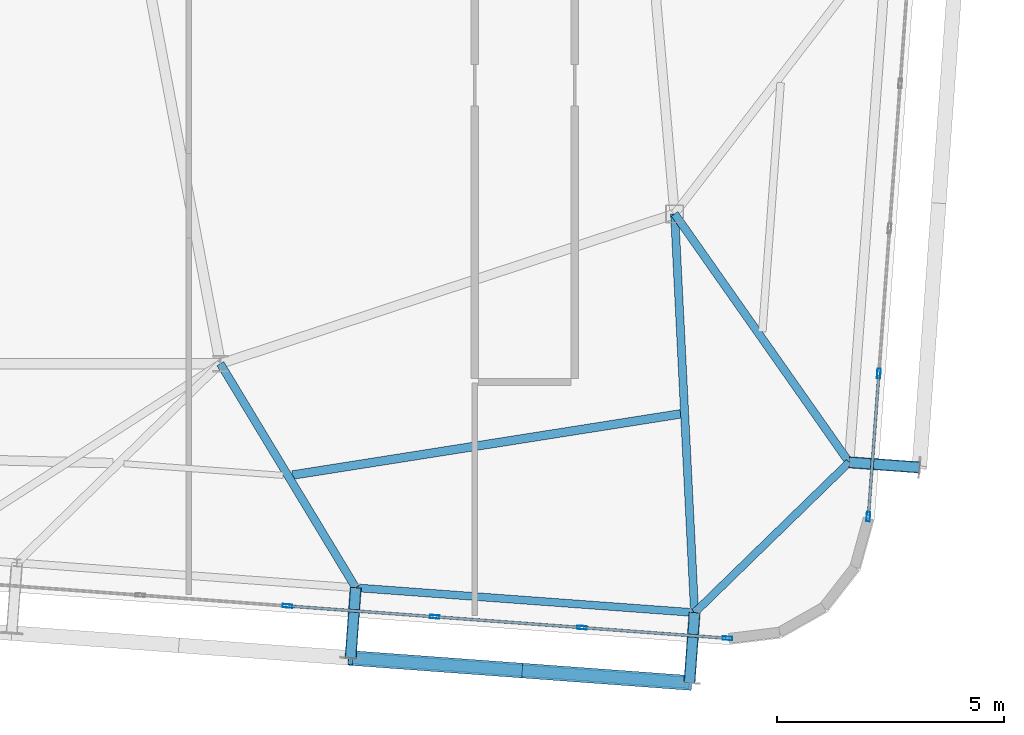
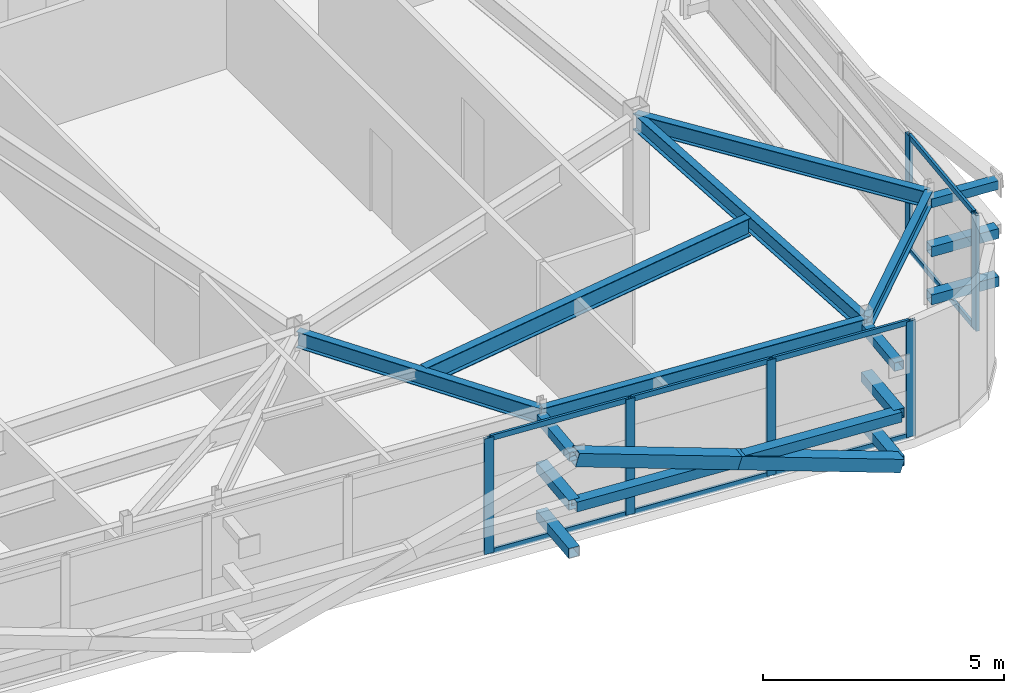
# One storey, part 19 of 42: 26 members, 6 beams, 2 elements without a shape of their own.
"""IFC4 building model written with IfcOpenShell, lengths in metres."""

from ifc_helpers import new_model, si_unit, direction, frame, origin, origin_2d, place, context, subcontext, project, spatial, hollow_rectangle, i_section, extrude, source, transform, mapped, material, layer, layer_set, material_profile, profile_set, type_object, element, aggregate, save


model = new_model("IFC4")

# Units and contexts
model_context = context("Model", 3, precision=1e-05, world=origin(), true_north=direction((0.0, 1.0)))
body_context = subcontext(model_context, "Body", "Model", "MODEL_VIEW")
ifc_project = project(units=[si_unit("LENGTHUNIT", "METRE"), si_unit("AREAUNIT", "SQUARE_METRE"), si_unit("VOLUMEUNIT", "CUBIC_METRE"), si_unit("PLANEANGLEUNIT", "RADIAN"), si_unit("MASSUNIT", "GRAM", prefix="KILO")], contexts=[model_context])

# Site, building, storey
site_placement = place(None, origin())
site = spatial("IfcSite", under=ifc_project, at=site_placement, CompositionType="ELEMENT")
building_placement = place(site_placement, origin())
building = spatial("IfcBuilding", under=site, at=building_placement, Name="Taldren Reach Tower", CompositionType="ELEMENT")
storey_placement = place(building_placement, frame((0.0, 0.0, 220.85009765625)))
storey = spatial("IfcBuildingStorey", under=building, at=storey_placement, Name="L67", CompositionType="ELEMENT", Elevation=220.85009765625)

# Members
ifc_material_1 = material(Name="Steel Gr 350 (C350L0)", Category="steel")
ifc_material_profile_1 = material_profile(ifc_material_1, hollow_rectangle(XDim=0.25, YDim=0.25, WallThickness=0.010009765625, at=origin_2d()), Name="250x250x10.0SHS")
ifc_profile_set_1 = profile_set([ifc_material_profile_1], Name="Steel Gr 350 (C350L0)")
member_type_1 = type_object("IfcMemberType", Name="MB-POST250", PredefinedType="POST", material=ifc_profile_set_1)
shared_shape_1 = source(origin(), body_context, "Body", "SweptSolid", [
    extrude(hollow_rectangle(XDim=0.25, YDim=0.25, WallThickness=0.010009765625, at=origin_2d()), origin(), (0.0, 0.0, 1.0), 1.550048828125),
])
for number, where, z_axis, x_axis, name in (
    (1, (44.980224609375, 4.26904296875, 0.219970703125), (-0.07323929162, -0.997314396849, 0.0), (0.997314396849, -0.07323929162, 0.0), "Exoskeleton base diaphragm tie strut B5-S5 L67"),
    (2, (52.440185546875, 3.72119140625, 0.219970703125), (-0.07323929162, -0.997314396849, 0.0), (0.997314396849, -0.07323929162, 0.0), "Exoskeleton base diaphragm tie strut B5-S6 L67"),
    (3, (44.980224609375, 4.26904296875, 1.434814453125), (-0.07323929162, -0.997314396849, 0.0), (0.997314396849, -0.07323929162, 0.0), "Exoskeleton mid-tier diaphragm tie B5-S5 L67"),
    (4, (52.440185546875, 3.72119140625, 1.434814453125), (-0.07323929162, -0.997314396849, 0.0), (0.997314396849, -0.07323929162, 0.0), "Exoskeleton mid-tier diaphragm tie B5-S6 L67"),
):
    element("IfcMember", number, at=place(storey_placement, frame(where, z_axis=z_axis, x_axis=x_axis)), inside=storey, type_object=member_type_1, Name=name, PredefinedType="POST", context=body_context, shape_type="MappedRepresentation", body=[
        mapped(shared_shape_1, transform((0.0, 0.0, 0.0), scale=1.0)),
    ])
ifc_material_2 = material(Name="Steel Gr 450 (C450L0)", Category="steel")
ifc_material_profile_2 = material_profile(ifc_material_2, hollow_rectangle(XDim=0.219970703125, YDim=0.219970703125, WallThickness=0.00830078125, at=origin_2d()), Name="220x220x8.2SHS")
ifc_profile_set_2 = profile_set([ifc_material_profile_2], Name="Steel Gr 450 (C450L0)")
member_type_2 = type_object("IfcMemberType", Name="MB-TIE219", PredefinedType="STRUT", material=ifc_profile_set_2)
shared_shape_2 = source(origin(), body_context, "Body", "SweptSolid", [
    extrude(hollow_rectangle(XDim=0.219970703125, YDim=0.219970703125, WallThickness=0.00830078125, at=origin_2d()), origin(), (0.0, 0.0, 1.0), 1.550048828125),
])
for number, where, z_axis, x_axis, name in (
    (5, (44.980224609375, 4.26904296875, 2.64990234375), (-0.07323929162, -0.997314396849, 0.0), (0.997314396849, -0.07323929162, 0.0), "Exoskeleton diaphragm tie strut B5-S5 L67"),
    (6, (52.440185546875, 3.72119140625, 2.64990234375), (-0.07323929162, -0.997314396849, 0.0), (0.997314396849, -0.07323929162, 0.0), "Exoskeleton diaphragm tie strut B5-S6 L67"),
):
    element("IfcMember", number, at=place(storey_placement, frame(where, z_axis=z_axis, x_axis=x_axis)), inside=storey, type_object=member_type_2, Name=name, PredefinedType="STRUT", context=body_context, shape_type="MappedRepresentation", body=[
        mapped(shared_shape_2, transform((0.0, 0.0, 0.0), scale=1.0)),
    ])

# Beams
ifc_material_3 = material(Name="Steel Gr 350 (350PLUS)", Category="steel")
ifc_material_profile_3 = material_profile(ifc_material_3, i_section(OverallWidth=0.172119140625, OverallDepth=0.35888671875, WebThickness=0.008056640625, FlangeThickness=0.012939453125, at=origin_2d()), Name="360UB56.7")
ifc_profile_set_3 = profile_set([ifc_material_profile_3], Name="Steel Gr 350 (350PLUS)")
beam_type_1 = type_object("IfcBeamType", Name="SP-UB360", PredefinedType="SPANDREL", material=ifc_profile_set_3)
shared_shape_3 = source(origin(), body_context, "Body", "SweptSolid", [
    extrude(i_section(OverallWidth=0.172119140625, OverallDepth=0.35888671875, WebThickness=0.008056640625, FlangeThickness=0.012939453125, at=origin_2d()), origin(), (0.0, 0.0, 1.0), 7.47998046875),
])
beam_1_placement = place(storey_placement, frame((44.980224609375, 4.26904296875, 2.75048828125), z_axis=(0.997314220642, -0.07324169103, 0.0), x_axis=(0.07324169103, 0.997314220642, 0.0)))
element("IfcBeam", 7, at=beam_1_placement, inside=storey, type_object=beam_type_1, Name="Perimeter spandrel B5 S5-S6 L67", PredefinedType="SPANDREL", context=body_context, shape_type="MappedRepresentation", body=[
    mapped(shared_shape_3, transform((0.0, 0.0, 0.0), scale=1.0)),
])
shared_shape_4 = source(origin(), body_context, "Body", "SweptSolid", [
    extrude(i_section(OverallWidth=0.172119140625, OverallDepth=0.35888671875, WebThickness=0.008056640625, FlangeThickness=0.012939453125, at=origin_2d()), origin(), (0.0, 0.0, 1.0), 4.74609375),
])
beam_2_placement = place(storey_placement, frame((52.440185546875, 3.72119140625, 2.75048828125), z_axis=(0.716711338436, 0.697369957309, 0.0), x_axis=(-0.697369957309, 0.716711338436, 0.0)))
element("IfcBeam", 8, at=beam_2_placement, inside=storey, type_object=beam_type_1, Name="Perimeter spandrel B5 S6-E1 L67", PredefinedType="SPANDREL", context=body_context, shape_type="MappedRepresentation", body=[
    mapped(shared_shape_4, transform((0.0, 0.0, 0.0), scale=1.0)),
])
ifc_material_profile_4 = material_profile(ifc_material_3, i_section(OverallWidth=0.177978515625, OverallDepth=0.406005859375, WebThickness=0.0078125, FlangeThickness=0.0126953125, at=origin_2d()), Name="410UB59.7")
ifc_profile_set_4 = profile_set([ifc_material_profile_4], Name="Steel Gr 350 (350PLUS)")
beam_type_2 = type_object("IfcBeamType", Name="BM-UB410", PredefinedType="BEAM", material=ifc_profile_set_4)
shared_shape_5 = source(origin(), body_context, "Body", "SweptSolid", [
    extrude(i_section(OverallWidth=0.177978515625, OverallDepth=0.406005859375, WebThickness=0.0078125, FlangeThickness=0.0126953125, at=origin_2d()), origin(), (0.0, 0.0, 1.0), 5.761474609375),
])
beam_3_placement = place(storey_placement, frame((42.0, 9.199951171875, 2.726806640625), z_axis=(0.517259852514, -0.855828396922, 0.0), x_axis=(0.855828396922, 0.517259852514, 0.0)))
element("IfcBeam", 9, at=beam_3_placement, inside=storey, type_object=beam_type_2, Name="Primary floor girder B5-S5 L67", PredefinedType="BEAM", context=body_context, shape_type="MappedRepresentation", body=[
    mapped(shared_shape_5, transform((0.0, 0.0, 0.0), scale=1.0)),
])
shared_shape_6 = source(origin(), body_context, "Body", "SweptSolid", [
    extrude(i_section(OverallWidth=0.177978515625, OverallDepth=0.406005859375, WebThickness=0.0078125, FlangeThickness=0.0126953125, at=origin_2d()), origin(), (0.0, 0.0, 1.0), 8.789794921875),
])
beam_4_placement = place(storey_placement, frame((52.0, 12.5, 2.726806640625), z_axis=(0.050078917367, -0.998745263836, 0.0), x_axis=(0.998745263836, 0.050078917367, 0.0)))
element("IfcBeam", 10, at=beam_4_placement, inside=storey, type_object=beam_type_2, Name="Primary floor girder B5-S6 L67", PredefinedType="BEAM", context=body_context, shape_type="MappedRepresentation", body=[
    mapped(shared_shape_6, transform((0.0, 0.0, 0.0), scale=1.0)),
])
shared_shape_7 = source(origin(), body_context, "Body", "SweptSolid", [
    extrude(i_section(OverallWidth=0.177978515625, OverallDepth=0.406005859375, WebThickness=0.0078125, FlangeThickness=0.0126953125, at=origin_2d()), origin(), (0.0, 0.0, 1.0), 6.68359375),
])
beam_5_placement = place(storey_placement, frame((52.0, 12.5, 2.726806640625), z_axis=(0.574817292651, -0.818281785249, 0.0), x_axis=(0.818281785249, 0.574817292651, 0.0)))
element("IfcBeam", 11, at=beam_5_placement, inside=storey, type_object=beam_type_2, Name="Primary floor girder B5-E1 L67", PredefinedType="BEAM", context=body_context, shape_type="MappedRepresentation", body=[
    mapped(shared_shape_7, transform((0.0, 0.0, 0.0), scale=1.0)),
])
ifc_material_profile_5 = material_profile(ifc_material_3, i_section(OverallWidth=0.19091796875, OverallDepth=0.4599609375, WebThickness=0.010009765625, FlangeThickness=0.01611328125, at=origin_2d()), Name="460UB82.1")
ifc_profile_set_5 = profile_set([ifc_material_profile_5], Name="Steel Gr 350 (350PLUS)")
beam_type_3 = type_object("IfcBeamType", Name="BM-UB460A", PredefinedType="BEAM", material=ifc_profile_set_5)
shared_shape_8 = source(origin(), body_context, "Body", "SweptSolid", [
    extrude(i_section(OverallWidth=0.19091796875, OverallDepth=0.4599609375, WebThickness=0.010009765625, FlangeThickness=0.01611328125, at=origin_2d()), origin(), (0.0, 0.0, 1.0), 8.65185546875),
])
beam_6_placement = place(storey_placement, frame((43.585205078125, 6.74951171875, 2.699951171875), z_axis=(0.987803200413, 0.155707537562, 0.0), x_axis=(-0.155707537562, 0.987803200413, 0.0)))
element("IfcBeam", 12, at=beam_6_placement, inside=storey, type_object=beam_type_3, Name="Secondary floor beam B5 J5 L67", PredefinedType="BEAM", context=body_context, shape_type="MappedRepresentation", body=[
    mapped(shared_shape_8, transform((0.0, 0.0, 0.0), scale=1.0)),
])

# Members
shared_shape_9 = source(origin(), body_context, "Body", "SweptSolid", [
    extrude(hollow_rectangle(XDim=0.219970703125, YDim=0.219970703125, WallThickness=0.00830078125, at=origin_2d()), origin(), (0.0, 0.0, 1.0), 1.546142578125),
])
member_1_placement = place(storey_placement, frame((55.845703125, 7.030517578125, 2.64990234375), z_axis=(0.997323903953, -0.073109716202, 0.0), x_axis=(0.073109716202, 0.997323903953, 0.0)))
element("IfcMember", 13, at=member_1_placement, inside=storey, type_object=member_type_2, Name="Exoskeleton diaphragm tie strut B5-E1 L67", PredefinedType="STRUT", context=body_context, shape_type="MappedRepresentation", body=[
    mapped(shared_shape_9, transform((0.0, 0.0, 0.0), scale=1.0)),
])
ifc_material_profile_6 = material_profile(ifc_material_2, hollow_rectangle(XDim=0.324951171875, YDim=0.324951171875, WallThickness=0.0126953125, at=origin_2d()), Name="325x325x12.7SHS")
ifc_profile_set_6 = profile_set([ifc_material_profile_6], Name="Steel Gr 450 (C450L0)")
member_type_3 = type_object("IfcMemberType", Name="MB-BR324", PredefinedType="BRACE", material=ifc_profile_set_6)
shared_shape_10 = source(origin(), body_context, "Body", "SweptSolid", [
    extrude(hollow_rectangle(XDim=0.324951171875, YDim=0.324951171875, WallThickness=0.0126953125, at=origin_2d()), origin(), (0.0, 0.0, 1.0), 3.932373046875),
])
for number, where, z_axis, x_axis, name in (
    (14, (52.32666015625, 2.17529296875, 0.219970703125), (-0.948529326954, 0.06965898055, 0.308933232813), (-0.07324169103, -0.997314220642, 0.0), "Exoskeleton Diagrid Brace B5-S5 L67"),
    (15, (48.5966796875, 2.44921875, 1.434814453125), (-0.948511132845, 0.069657644394, 0.308989390507), (-0.07324169103, -0.997314220642, 0.0), "Exoskeleton Diagrid Brace B5-S5 L67"),
):
    element("IfcMember", number, at=place(storey_placement, frame(where, z_axis=z_axis, x_axis=x_axis)), inside=storey, type_object=member_type_3, Name=name, PredefinedType="BRACE", context=body_context, shape_type="MappedRepresentation", body=[
        mapped(shared_shape_10, transform((0.0, 0.0, 0.0), scale=1.0)),
    ])
shared_shape_11 = source(origin(), body_context, "Body", "SweptSolid", [
    extrude(hollow_rectangle(XDim=0.25, YDim=0.25, WallThickness=0.010009765625, at=origin_2d()), origin(), (0.0, 0.0, 1.0), 7.47998046875),
])
member_2_placement = place(storey_placement, frame((44.86669921875, 2.72314453125, 1.434814453125), z_axis=(0.997314220642, -0.07324169103, 0.0), x_axis=(0.07324169103, 0.997314220642, 0.0)))
element("IfcMember", 16, at=member_2_placement, inside=storey, type_object=member_type_1, Name="Exoskeleton mid-height ring chord B5-S5 L67", PredefinedType="POST", context=body_context, shape_type="MappedRepresentation", body=[
    mapped(shared_shape_11, transform((0.0, 0.0, 0.0), scale=1.0)),
])
shared_shape_12 = source(origin(), body_context, "Body", "SweptSolid", [
    extrude(hollow_rectangle(XDim=0.25, YDim=0.25, WallThickness=0.010009765625, at=origin_2d()), origin(), (0.0, 0.0, 1.0), 1.546142578125),
])
for number, where, z_axis, x_axis, name in (
    (17, (55.845703125, 7.030517578125, 0.219970703125), (0.997323903953, -0.073109716202, 0.0), (0.073109716202, 0.997323903953, 0.0), "Exoskeleton base diaphragm tie strut B5-E1 L67"),
    (18, (55.845703125, 7.030517578125, 1.434814453125), (0.997323903953, -0.073109716202, 0.0), (0.073109716202, 0.997323903953, 0.0), "Exoskeleton mid-tier diaphragm tie B5-E1 L67"),
):
    element("IfcMember", number, at=place(storey_placement, frame(where, z_axis=z_axis, x_axis=x_axis)), inside=storey, type_object=member_type_1, Name=name, PredefinedType="POST", context=body_context, shape_type="MappedRepresentation", body=[
        mapped(shared_shape_12, transform((0.0, 0.0, 0.0), scale=1.0)),
    ])

# Curtain wall, members
ifc_material_4 = material(Name="Aluminium and Low-E Glass Unitised System", Category="aluminium")
ifc_layer = layer(ifc_material_4, 0.159912109375)
ifc_layer_set = layer_set([ifc_layer], Name="Aluminium and Low-E Glass Unitised System")
curtain_wall_type = type_object("IfcCurtainWallType", Name="CW-SYS-6", PredefinedType="NOTDEFINED", material=ifc_layer_set)
curtain_wall_1_placement = place(storey_placement, origin())
curtain_wall_1 = element("IfcCurtainWall", 19, at=curtain_wall_1_placement, inside=storey, type_object=curtain_wall_type, Name="Unitised curtain wall CW-L67-S", PredefinedType="NOTDEFINED")
ifc_material_5 = material(Name="Anodised Aluminium 6063-T6", Category="aluminium")
ifc_material_profile_7 = material_profile(ifc_material_5, hollow_rectangle(XDim=0.074951171875, YDim=0.2099609375, WallThickness=0.00439453125, at=origin_2d()), Name="ALU-210x75x4.5RHS")
ifc_profile_set_7 = profile_set([ifc_material_profile_7], Name="Anodised Aluminium 6063-T6")
member_type_4 = type_object("IfcMemberType", Name="CW-MUL-200", PredefinedType="MULLION", material=ifc_profile_set_7)
shared_shape_13 = source(origin(), body_context, "Body", "SweptSolid", [
    extrude(hollow_rectangle(XDim=0.074951171875, YDim=0.2099609375, WallThickness=0.00439453125, at=origin_2d()), origin(), (0.0, 0.0, 1.0), 2.929931640625),
])
member_3_placement = place(storey_placement, frame((43.476806640625, 3.867919921875, 0.0), z_axis=(0.0, 0.0, 1.0), x_axis=(0.073238213716, 0.997314476006, 0.0)))
member_3 = element("IfcMember", 20, at=member_3_placement, type_object=member_type_4, Name="CW-6 mullion 10", PredefinedType="MULLION", context=body_context, shape_type="MappedRepresentation", body=[
    mapped(shared_shape_13, transform((0.0, 0.0, 0.0), scale=1.0)),
])
member_4_placement = place(storey_placement, frame((46.71826171875, 3.6298828125, 0.0), z_axis=(0.0, 0.0, 1.0), x_axis=(0.073238213716, 0.997314476006, 0.0)))
member_4 = element("IfcMember", 21, at=member_4_placement, type_object=member_type_4, Name="CW-6 mullion 11", PredefinedType="MULLION", context=body_context, shape_type="MappedRepresentation", body=[
    mapped(shared_shape_13, transform((0.0, 0.0, 0.0), scale=1.0)),
])
member_5_placement = place(storey_placement, frame((49.95947265625, 3.391845703125, 0.0), z_axis=(0.0, 0.0, 1.0), x_axis=(0.073238213716, 0.997314476006, 0.0)))
member_5 = element("IfcMember", 22, at=member_5_placement, type_object=member_type_4, Name="CW-6 mullion 12", PredefinedType="MULLION", context=body_context, shape_type="MappedRepresentation", body=[
    mapped(shared_shape_13, transform((0.0, 0.0, 0.0), scale=1.0)),
])
member_6_placement = place(storey_placement, frame((53.163330078125, 3.15673828125, 0.0), z_axis=(0.0, 0.0, 1.0), x_axis=(0.073238213716, 0.997314476006, 0.0)))
member_6 = element("IfcMember", 23, at=member_6_placement, type_object=member_type_4, Name="CW-6 mullion 13", PredefinedType="MULLION", context=body_context, shape_type="MappedRepresentation", body=[
    mapped(shared_shape_13, transform((0.0, 0.0, 0.0), scale=1.0)),
])

curtain_wall_2_placement = place(storey_placement, origin())
curtain_wall_2 = element("IfcCurtainWall", 24, at=curtain_wall_2_placement, inside=storey, type_object=curtain_wall_type, Name="Unitised curtain wall CW-L67-E", PredefinedType="NOTDEFINED")
member_7_placement = place(storey_placement, frame((56.26513671875, 5.834228515625, 0.0), z_axis=(0.0, 0.0, 1.0), x_axis=(-0.997314470951, 0.073238282558, 0.0)))
member_7 = element("IfcMember", 25, at=member_7_placement, type_object=member_type_4, Name="CW-6 mullion 1", PredefinedType="MULLION", context=body_context, shape_type="MappedRepresentation", body=[
    mapped(shared_shape_13, transform((0.0, 0.0, 0.0), scale=1.0)),
])
member_8_placement = place(storey_placement, frame((56.496826171875, 8.98828125, 0.0), z_axis=(0.0, 0.0, 1.0), x_axis=(-0.997314470951, 0.073238282558, 0.0)))
member_8 = element("IfcMember", 26, at=member_8_placement, type_object=member_type_4, Name="CW-6 mullion 2", PredefinedType="MULLION", context=body_context, shape_type="MappedRepresentation", body=[
    mapped(shared_shape_13, transform((0.0, 0.0, 0.0), scale=1.0)),
])

# Member
ifc_material_profile_8 = material_profile(ifc_material_5, hollow_rectangle(XDim=0.06005859375, YDim=0.135009765625, WallThickness=0.00341796875, at=origin_2d()), Name="ALU-135x60x3.5RHS")
ifc_profile_set_8 = profile_set([ifc_material_profile_8], Name="Anodised Aluminium 6063-T6")
member_type_5 = type_object("IfcMemberType", Name="CW-TRN-150", PredefinedType="USERDEFINED", material=ifc_profile_set_8)
shared_shape_14 = source(origin(), body_context, "Body", "SweptSolid", [
    extrude(hollow_rectangle(XDim=0.06005859375, YDim=0.135009765625, WallThickness=0.00341796875, at=origin_2d()), origin(), (0.0, 0.0, 1.0), 3.1748046875),
])
member_9_placement = place(storey_placement, frame((43.514404296875, 3.865234375, 0.02978515625), z_axis=(0.997316632709, -0.073208839104, 0.0), x_axis=(0.073208839104, 0.997316632709, 0.0)))
member_9 = element("IfcMember", 27, at=member_9_placement, type_object=member_type_5, Name="CW-6 transom 10.1", ObjectType="TRANSOM", PredefinedType="USERDEFINED", context=body_context, shape_type="MappedRepresentation", body=[
    mapped(shared_shape_14, transform((0.0, 0.0, 0.0), scale=1.0)),
])

member_10_placement = place(storey_placement, frame((43.514404296875, 3.865234375, 2.89990234375), z_axis=(0.997316632709, -0.073208839104, 0.0), x_axis=(0.073208839104, 0.997316632709, 0.0)))
member_10 = element("IfcMember", 28, at=member_10_placement, type_object=member_type_5, Name="CW-6 transom 10.2", ObjectType="TRANSOM", PredefinedType="USERDEFINED", context=body_context, shape_type="MappedRepresentation", body=[
    mapped(shared_shape_14, transform((0.0, 0.0, 0.0), scale=1.0)),
])

shared_shape_15 = source(origin(), body_context, "Body", "SweptSolid", [
    extrude(hollow_rectangle(XDim=0.06005859375, YDim=0.135009765625, WallThickness=0.00341796875, at=origin_2d()), origin(), (0.0, 0.0, 1.0), 3.175048828125),
])
member_11_placement = place(storey_placement, frame((46.755615234375, 3.627197265625, 0.02978515625), z_axis=(0.99731704481, -0.073203224877, 0.0), x_axis=(0.073203224877, 0.99731704481, 0.0)))
member_11 = element("IfcMember", 29, at=member_11_placement, type_object=member_type_5, Name="CW-6 transom 11.1", ObjectType="TRANSOM", PredefinedType="USERDEFINED", context=body_context, shape_type="MappedRepresentation", body=[
    mapped(shared_shape_15, transform((0.0, 0.0, 0.0), scale=1.0)),
])

member_12_placement = place(storey_placement, frame((46.755615234375, 3.627197265625, 2.89990234375), z_axis=(0.99731704481, -0.073203224877, 0.0), x_axis=(0.073203224877, 0.99731704481, 0.0)))
member_12 = element("IfcMember", 30, at=member_12_placement, type_object=member_type_5, Name="CW-6 transom 11.2", ObjectType="TRANSOM", PredefinedType="USERDEFINED", context=body_context, shape_type="MappedRepresentation", body=[
    mapped(shared_shape_15, transform((0.0, 0.0, 0.0), scale=1.0)),
])

shared_shape_16 = source(origin(), body_context, "Body", "SweptSolid", [
    extrude(hollow_rectangle(XDim=0.06005859375, YDim=0.135009765625, WallThickness=0.00341796875, at=origin_2d()), origin(), (0.0, 0.0, 1.0), 3.137451171875),
])
member_13_placement = place(storey_placement, frame((49.996826171875, 3.38916015625, 0.02978515625), z_axis=(0.997315736795, -0.073221043015, 0.0), x_axis=(0.073221043015, 0.997315736795, 0.0)))
member_13 = element("IfcMember", 31, at=member_13_placement, type_object=member_type_5, Name="CW-6 transom 12.1", ObjectType="TRANSOM", PredefinedType="USERDEFINED", context=body_context, shape_type="MappedRepresentation", body=[
    mapped(shared_shape_16, transform((0.0, 0.0, 0.0), scale=1.0)),
])

member_14_placement = place(storey_placement, frame((49.996826171875, 3.38916015625, 2.89990234375), z_axis=(0.997315736795, -0.073221043015, 0.0), x_axis=(0.073221043015, 0.997315736795, 0.0)))
member_14 = element("IfcMember", 32, at=member_14_placement, type_object=member_type_5, Name="CW-6 transom 12.2", ObjectType="TRANSOM", PredefinedType="USERDEFINED", context=body_context, shape_type="MappedRepresentation", body=[
    mapped(shared_shape_16, transform((0.0, 0.0, 0.0), scale=1.0)),
])

aggregate(curtain_wall_1, [member_3, member_4, member_5, member_6, member_9, member_10, member_11, member_12, member_13, member_14])

shared_shape_17 = source(origin(), body_context, "Body", "SweptSolid", [
    extrude(hollow_rectangle(XDim=0.06005859375, YDim=0.135009765625, WallThickness=0.00341796875, at=origin_2d()), origin(), (0.0, 0.0, 1.0), 3.08740234375),
])
member_15_placement = place(storey_placement, frame((56.26806640625, 5.87158203125, 0.02978515625), z_axis=(0.073225031802, 0.997315443938, 0.0), x_axis=(-0.997315443938, 0.073225031802, 0.0)))
member_15 = element("IfcMember", 33, at=member_15_placement, type_object=member_type_5, Name="CW-6 transom 1.1", ObjectType="TRANSOM", PredefinedType="USERDEFINED", context=body_context, shape_type="MappedRepresentation", body=[
    mapped(shared_shape_17, transform((0.0, 0.0, 0.0), scale=1.0)),
])

member_16_placement = place(storey_placement, frame((56.26806640625, 5.87158203125, 2.89990234375), z_axis=(0.073225031802, 0.997315443938, 0.0), x_axis=(-0.997315443938, 0.073225031802, 0.0)))
member_16 = element("IfcMember", 34, at=member_16_placement, type_object=member_type_5, Name="CW-6 transom 1.2", ObjectType="TRANSOM", PredefinedType="USERDEFINED", context=body_context, shape_type="MappedRepresentation", body=[
    mapped(shared_shape_17, transform((0.0, 0.0, 0.0), scale=1.0)),
])

aggregate(curtain_wall_2, [member_7, member_8, member_15, member_16])

save(model, "model.ifc")
